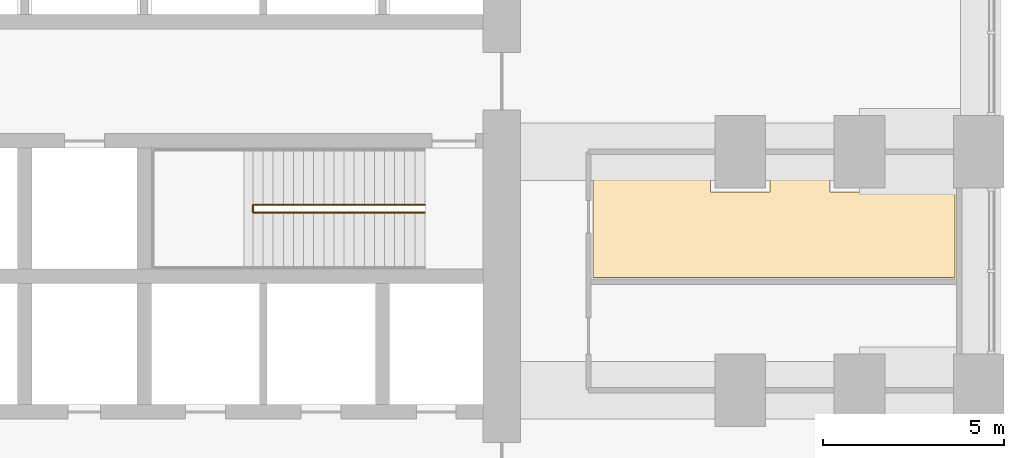
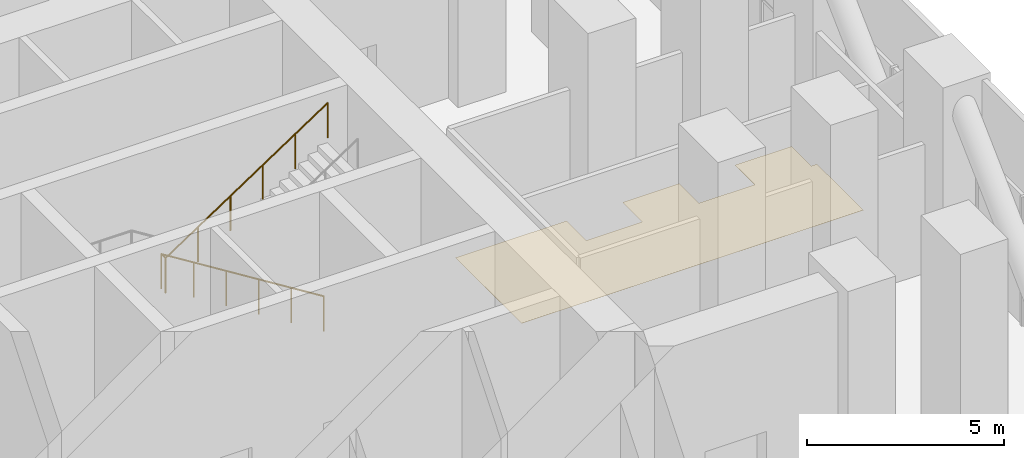
# One storey, part 17 of 17: 1 covering, 1 railing.
"""IFC4 building model written with IfcOpenShell, lengths in metres."""

import ifcopenshell
import ifcopenshell.guid

model = None  # the IFC model being written
_history = None  # IfcOwnerHistory: only IFC2X3 demands one
_inside = {}  # id of a spatial element -> (the spatial element, [elements in it])
_under = {}  # id of a project, library or spatial element -> (it, [spatial elements below it])
_declared = {}  # id of a project -> (the project, [libraries it declares])
_typed = {}  # id of a type object -> (the type object, [elements of that type])
_made_of = {}  # id of a material, layer set ... -> (it, [elements and type objects made of it])


def new_model(schema):
    """Start an empty IFC model of exactly this schema.

    Asked for "IFC4X3", IfcOpenShell would pick the latest addendum, in which some entities
    have other attributes; the version numbers below select the first issue.
    IFC2X3 requires an IfcOwnerHistory on every rooted entity: one is made here for all.
    """
    global model, _history
    if schema == "IFC4X3":
        model = ifcopenshell.file(schema_version=(4, 3, 0, 0))
    else:
        model = ifcopenshell.file(schema=schema)
    _inside.clear()
    _under.clear()
    _declared.clear()
    _typed.clear()
    _made_of.clear()
    _history = None
    if model.schema == "IFC2X3":
        org = make("IfcOrganization", Name="unknown")
        user = make(
            "IfcPersonAndOrganization",
            ThePerson=make("IfcPerson", FamilyName="unknown"),
            TheOrganization=org,
        )
        app = make(
            "IfcApplication",
            ApplicationDeveloper=org,
            Version="unknown",
            ApplicationFullName="unknown",
            ApplicationIdentifier="unknown",
        )
        _history = make(
            "IfcOwnerHistory",
            OwningUser=user,
            OwningApplication=app,
            ChangeAction="ADDED",
            CreationDate=0,
        )
    return model


def make(cls, **values):
    """One entity of the class cls with the attributes given. An attribute that is None is left unset."""
    return model.create_entity(
        cls, **{name: value for name, value in values.items() if value is not None}
    )


def rooted(cls, **values):
    """An entity with a GlobalId (a new one), such as an element, a storey or a relation."""
    return make(cls, GlobalId=ifcopenshell.guid.new(), OwnerHistory=_history, **values)


def si_unit(unit_type, name, prefix=None):
    """IfcSIUnit, for example si_unit("LENGTHUNIT", "METRE", prefix="MILLI")."""
    return make("IfcSIUnit", UnitType=unit_type, Prefix=prefix, Name=name)


def assignment(units):
    """IfcUnitAssignment: the units of a project."""
    return None if units is None else make("IfcUnitAssignment", Units=units)


def point(xyz):
    """IfcCartesianPoint."""
    return None if xyz is None else make("IfcCartesianPoint", Coordinates=xyz)


def direction(xyz):
    """IfcDirection."""
    return None if xyz is None else make("IfcDirection", DirectionRatios=xyz)


def frame(location, z_axis=None, x_axis=None):
    """IfcAxis2Placement3D, a coordinate frame: its origin and axes. An axis left out is left unset."""
    return make(
        "IfcAxis2Placement3D",
        Location=point(location),
        Axis=direction(z_axis),
        RefDirection=direction(x_axis),
    )


def origin():
    """The frame at (0, 0, 0) with its axes left unset."""
    return frame((0.0, 0.0, 0.0))


def place(relative_to, where):
    """IfcLocalPlacement: puts the frame where relative to a parent placement (None: the world)."""
    return make(
        "IfcLocalPlacement", PlacementRelTo=relative_to, RelativePlacement=where
    )


def context(
    kind, dimensions, precision=None, world=None, true_north=None, identifier=None
):
    """IfcGeometricRepresentationContext, for example the 3D "Model" context."""
    return make(
        "IfcGeometricRepresentationContext",
        ContextIdentifier=identifier,
        ContextType=kind,
        CoordinateSpaceDimension=dimensions,
        Precision=precision,
        WorldCoordinateSystem=world,
        TrueNorth=true_north,
    )


def subcontext(parent, identifier, kind, view, scale=None):
    """IfcGeometricRepresentationSubContext, for example "Body" below "Model"."""
    return make(
        "IfcGeometricRepresentationSubContext",
        ContextIdentifier=identifier,
        ContextType=kind,
        ParentContext=parent,
        TargetScale=scale,
        TargetView=view,
    )


def project(units=None, contexts=None):
    """IfcProject with its units and contexts."""
    return rooted(
        "IfcProject",
        Name="project",
        RepresentationContexts=contexts,
        UnitsInContext=assignment(units),
    )


def spatial(cls, under=None, at=None, **own):
    """A site, building, storey or space (cls), placed at a placement, below another one or the project."""
    s = rooted(cls, ObjectPlacement=at, **own)
    if under is not None:
        _under.setdefault(under.id(), (under, []))[1].append(s)
    return s


def polyline(points):
    """IfcPolyline through the points."""
    return make("IfcPolyline", Points=[point(p) for p in points])


def outline(outer, holes=None, kind="AREA"):
    """IfcArbitraryClosedProfileDef: a profile drawn as a closed curve; with holes, ...WithVoids."""
    if holes is None:
        return make("IfcArbitraryClosedProfileDef", ProfileType=kind, OuterCurve=outer)
    return make(
        "IfcArbitraryProfileDefWithVoids",
        ProfileType=kind,
        OuterCurve=outer,
        InnerCurves=holes,
    )


def extrude(swept, where, along, depth):
    """IfcExtrudedAreaSolid: the profile swept, set in the frame where, extruded along a direction by depth."""
    return make(
        "IfcExtrudedAreaSolid",
        SweptArea=swept,
        Position=where,
        ExtrudedDirection=direction(along),
        Depth=depth,
    )


def shape(context_of_items, identifier, shape_type, items):
    """IfcShapeRepresentation: the items that make up one representation, for example the "Body"."""
    return make(
        "IfcShapeRepresentation",
        ContextOfItems=context_of_items,
        RepresentationIdentifier=identifier,
        RepresentationType=shape_type,
        Items=items,
    )


def material(Name=None, Category=None):
    """IfcMaterial."""
    return make("IfcMaterial", Name=Name, Category=Category)


def layer(
    of_material, thickness, ventilated=None, Name=None, Category=None, Priority=None
):
    """IfcMaterialLayer: one layer of a wall or slab, of a material (None: an air gap)."""
    return make(
        "IfcMaterialLayer",
        Material=of_material,
        LayerThickness=thickness,
        IsVentilated=ventilated,
        Name=Name,
        Category=Category,
        Priority=Priority,
    )


def layer_set(layers, Name=None):
    """IfcMaterialLayerSet."""
    return make("IfcMaterialLayerSet", MaterialLayers=layers, LayerSetName=Name)


def made_of(thing, what):
    """Note that an element or type object is made of a material, layer set ...; save() writes the relation."""
    if what is not None:
        _made_of.setdefault(what.id(), (what, []))[1].append(thing)
    return thing


def type_object(cls, material=None, **own):
    """A type object (cls), such as IfcWallType, which elements share."""
    return made_of(rooted(cls, **own), material)


def element(
    cls,
    number,
    at=None,
    inside=None,
    cuts=None,
    type_object=None,
    material=None,
    context=None,
    identifier="Body",
    shape_type=None,
    held_by="IfcProductDefinitionShape",
    body=None,
    shapes=None,
    **own,
):
    """One element of the class cls, such as IfcWall. Its Tag is "e" and its number.

    at: its placement. inside: the storey or other place that contains it. cuts: it is an
    opening in that element (IfcRelVoidsElement). A single representation is given by context,
    identifier, shape_type and body (its items); several are given by shapes. held_by: the class
    of the entity that holds the representations. save() writes the other relations.
    """
    e = rooted(cls, Tag="e%d" % number, ObjectPlacement=at, **own)
    if body is not None:
        shapes = [shape(context, identifier, shape_type, body)]
    if shapes is not None:
        e.Representation = make(held_by, Representations=shapes)
    if inside is not None:
        _inside.setdefault(inside.id(), (inside, []))[1].append(e)
    if cuts is not None:
        rooted(
            "IfcRelVoidsElement", RelatingBuildingElement=cuts, RelatedOpeningElement=e
        )
    if type_object is not None:
        _typed.setdefault(type_object.id(), (type_object, []))[1].append(e)
    return made_of(e, material)


def aggregate(whole, parts):
    """IfcRelAggregates: a whole, such as a stair, and the parts it consists of."""
    return rooted("IfcRelAggregates", RelatingObject=whole, RelatedObjects=parts)


def save(model, path):
    """Write the relations noted so far, then the file.

    IfcRelAggregates (storeys below a building ...), IfcRelContainedInSpatialStructure (elements
    in a storey), IfcRelDefinesByType, IfcRelAssociatesMaterial and IfcRelDeclares: one each for
    every whole, place, type object, material and project.
    """
    for whole, parts in _under.values():
        aggregate(whole, parts)
    for where, things in _inside.values():
        rooted(
            "IfcRelContainedInSpatialStructure",
            RelatedElements=things,
            RelatingStructure=where,
        )
    for kind, things in _typed.values():
        rooted("IfcRelDefinesByType", RelatedObjects=things, RelatingType=kind)
    for what, things in _made_of.values():
        rooted("IfcRelAssociatesMaterial", RelatedObjects=things, RelatingMaterial=what)
    for by, libraries in _declared.values():
        rooted("IfcRelDeclares", RelatingContext=by, RelatedDefinitions=libraries)
    model.write(path)


model = new_model("IFC4")

# Units and contexts
model_context = context("Model", 3, precision=1e-05, world=origin(), true_north=direction((0.0, 1.0)))
body_context = subcontext(model_context, "Body", "Model", "MODEL_VIEW")
ifc_project = project(units=[si_unit("LENGTHUNIT", "METRE"), si_unit("AREAUNIT", "SQUARE_METRE"), si_unit("VOLUMEUNIT", "CUBIC_METRE"), si_unit("PLANEANGLEUNIT", "RADIAN"), si_unit("MASSUNIT", "GRAM", prefix="KILO")], contexts=[model_context])

# Site, building, storey
site_placement = place(None, origin())
site = spatial("IfcSite", under=ifc_project, at=site_placement, CompositionType="ELEMENT")
building_placement = place(site_placement, origin())
building = spatial("IfcBuilding", under=site, at=building_placement, Name="Cobogo Forest Laboratory Tower", CompositionType="ELEMENT")
storey_placement = place(building_placement, frame((0.0, 0.0, 75.89990234375)))
storey = spatial("IfcBuildingStorey", under=building, at=storey_placement, Name="L17", CompositionType="ELEMENT", Elevation=75.89990234375)

# Railing
ifc_material_1 = material(Name="Steel balustrade", Category="steel")
railing_type = type_object("IfcRailingType", Name="GR stair guard 1100", PredefinedType="GUARDRAIL", material=ifc_material_1)
railing_placement = place(storey_placement, frame((37.47509765625, 24.929931640625, 0.175048828125)))
element("IfcRailing", 1, at=railing_placement, inside=storey, type_object=railing_type, Name="Stair guard ST2 L17", PredefinedType="GUARDRAIL", context=body_context, shape_type="SweptSolid", body=[
    extrude(outline(polyline([(0.022216796875, 0.00927734375), (0.00927734375, 0.022216796875), (-0.00927734375, 0.022216796875), (-0.022216796875, 0.00927734375), (-0.022216796875, -0.00927734375), (-0.00927734375, -0.022216796875), (0.00927734375, -0.022216796875), (0.022216796875, -0.00927734375), (0.022216796875, 0.00927734375)])), frame((0.0, 0.0, 1.077880859375), z_axis=(-0.847990973574, 0.0, 0.530010668512), x_axis=(0.0, -1.0, 0.0)), (0.0, 0.0, 1.0), 5.61328125),
    extrude(outline(polyline([(0.022216796875, 0.00927734375), (0.00927734375, 0.022216796875), (-0.00927734375, 0.022216796875), (-0.022216796875, 0.00927734375), (-0.022216796875, -0.00927734375), (-0.00927734375, -0.022216796875), (0.00927734375, -0.022216796875), (0.022216796875, -0.00927734375), (0.022216796875, 0.00927734375)])), frame((-4.760009765625, 0.0, 4.052978515625), z_axis=(0.0, -1.0, 0.0), x_axis=(1.0, 0.0, 0.0)), (0.0, 0.0, 1.0), 0.2099609375),
    extrude(outline(polyline([(0.022216796875, 0.00927734375), (0.00927734375, 0.022216796875), (-0.00927734375, 0.022216796875), (-0.022216796875, 0.00927734375), (-0.022216796875, -0.00927734375), (-0.00927734375, -0.022216796875), (0.00927734375, -0.022216796875), (0.022216796875, -0.00927734375), (0.022216796875, 0.00927734375)])), frame((-4.760009765625, -0.2099609375, 4.052978515625), z_axis=(0.833940600646, 0.0, 0.551854214983), x_axis=(0.0, 1.0, 0.0)), (0.0, 0.0, 1.0), 5.707763671875),
    extrude(outline(polyline([(0.019287109375, 0.008056640625), (0.008056640625, 0.019287109375), (-0.008056640625, 0.019287109375), (-0.019287109375, 0.008056640625), (-0.019287109375, -0.008056640625), (-0.008056640625, -0.019287109375), (0.008056640625, -0.019287109375), (0.019287109375, -0.008056640625), (0.019287109375, 0.008056640625)])), origin(), (0.0, 0.0, 1.0), 1.077880859375),
    extrude(outline(polyline([(0.019287109375, 0.008056640625), (0.008056640625, 0.019287109375), (-0.008056640625, 0.019287109375), (-0.019287109375, 0.008056640625), (-0.019287109375, -0.008056640625), (-0.008056640625, -0.019287109375), (0.008056640625, -0.019287109375), (0.019287109375, -0.008056640625), (0.019287109375, 0.008056640625)])), frame((-0.951904296875, 0.0, 0.594970703125)), (0.0, 0.0, 1.0), 1.077880859375),
    extrude(outline(polyline([(0.019287109375, 0.008056640625), (0.008056640625, 0.019287109375), (-0.008056640625, 0.019287109375), (-0.019287109375, 0.008056640625), (-0.019287109375, -0.008056640625), (-0.008056640625, -0.019287109375), (0.008056640625, -0.019287109375), (0.019287109375, -0.008056640625), (0.019287109375, 0.008056640625)])), frame((-1.904052734375, 0.0, 1.18994140625)), (0.0, 0.0, 1.0), 1.077880859375),
    extrude(outline(polyline([(0.019287109375, 0.008056640625), (0.008056640625, 0.019287109375), (-0.008056640625, 0.019287109375), (-0.019287109375, 0.008056640625), (-0.019287109375, -0.008056640625), (-0.008056640625, -0.019287109375), (0.008056640625, -0.019287109375), (0.019287109375, -0.008056640625), (0.019287109375, 0.008056640625)])), frame((-2.85595703125, 0.0, 1.78515625)), (0.0, 0.0, 1.0), 1.077880859375),
    extrude(outline(polyline([(0.019287109375, 0.008056640625), (0.008056640625, 0.019287109375), (-0.008056640625, 0.019287109375), (-0.019287109375, 0.008056640625), (-0.019287109375, -0.008056640625), (-0.008056640625, -0.019287109375), (0.008056640625, -0.019287109375), (0.019287109375, -0.008056640625), (0.019287109375, 0.008056640625)])), frame((-3.80810546875, 0.0, 2.380126953125)), (0.0, 0.0, 1.0), 1.077880859375),
    extrude(outline(polyline([(0.019287109375, 0.008056640625), (0.008056640625, 0.019287109375), (-0.008056640625, 0.019287109375), (-0.019287109375, 0.008056640625), (-0.019287109375, -0.008056640625), (-0.008056640625, -0.019287109375), (0.008056640625, -0.019287109375), (0.019287109375, -0.008056640625), (0.019287109375, 0.008056640625)])), frame((-4.760009765625, 0.0, 2.97509765625)), (0.0, 0.0, 1.0), 1.077880859375),
    extrude(outline(polyline([(0.019287109375, 0.008056640625), (0.008056640625, 0.019287109375), (-0.008056640625, 0.019287109375), (-0.019287109375, 0.008056640625), (-0.019287109375, -0.008056640625), (-0.008056640625, -0.019287109375), (0.008056640625, -0.019287109375), (0.019287109375, -0.008056640625), (0.019287109375, 0.008056640625)])), frame((-4.760009765625, -0.2099609375, 2.97509765625)), (0.0, 0.0, 1.0), 1.077880859375),
    extrude(outline(polyline([(0.019287109375, 0.008056640625), (0.008056640625, 0.019287109375), (-0.008056640625, 0.019287109375), (-0.019287109375, 0.008056640625), (-0.019287109375, -0.008056640625), (-0.008056640625, -0.019287109375), (0.008056640625, -0.019287109375), (0.019287109375, -0.008056640625), (0.019287109375, 0.008056640625)])), frame((-3.80810546875, -0.2099609375, 3.60498046875)), (0.0, 0.0, 1.0), 1.077880859375),
    extrude(outline(polyline([(0.019287109375, 0.008056640625), (0.008056640625, 0.019287109375), (-0.008056640625, 0.019287109375), (-0.019287109375, 0.008056640625), (-0.019287109375, -0.008056640625), (-0.008056640625, -0.019287109375), (0.008056640625, -0.019287109375), (0.019287109375, -0.008056640625), (0.019287109375, 0.008056640625)])), frame((-2.85595703125, -0.2099609375, 4.235107421875)), (0.0, 0.0, 1.0), 1.077880859375),
    extrude(outline(polyline([(0.019287109375, 0.008056640625), (0.008056640625, 0.019287109375), (-0.008056640625, 0.019287109375), (-0.019287109375, 0.008056640625), (-0.019287109375, -0.008056640625), (-0.008056640625, -0.019287109375), (0.008056640625, -0.019287109375), (0.019287109375, -0.008056640625), (0.019287109375, 0.008056640625)])), frame((-1.904052734375, -0.2099609375, 4.864990234375)), (0.0, 0.0, 1.0), 1.077880859375),
    extrude(outline(polyline([(0.019287109375, 0.008056640625), (0.008056640625, 0.019287109375), (-0.008056640625, 0.019287109375), (-0.019287109375, 0.008056640625), (-0.019287109375, -0.008056640625), (-0.008056640625, -0.019287109375), (0.008056640625, -0.019287109375), (0.019287109375, -0.008056640625), (0.019287109375, 0.008056640625)])), frame((-0.951904296875, -0.2099609375, 5.4951171875)), (0.0, 0.0, 1.0), 1.077880859375),
    extrude(outline(polyline([(0.019287109375, 0.008056640625), (0.008056640625, 0.019287109375), (-0.008056640625, 0.019287109375), (-0.019287109375, 0.008056640625), (-0.019287109375, -0.008056640625), (-0.008056640625, -0.019287109375), (0.008056640625, -0.019287109375), (0.019287109375, -0.008056640625), (0.019287109375, 0.008056640625)])), frame((0.0, -0.2099609375, 6.125)), (0.0, 0.0, 1.0), 1.077880859375),
])

# Covering
ifc_material_2 = material(Name="Static-dissipative vinyl flooring", Category="flooring")
ifc_layer = layer(ifc_material_2, 0.0029296875)
ifc_layer_set = layer_set([ifc_layer], Name="SD1 static-dissipative vinyl floor 3")
covering_type = type_object("IfcCoveringType", Name="SD1 static-dissipative vinyl floor 3", PredefinedType="FLOORING", material=ifc_layer_set)
covering_placement = place(storey_placement, origin())
element("IfcCovering", 2, at=covering_placement, inside=storey, type_object=covering_type, Name="Static-dissipative floor L17-10", PredefinedType="FLOORING", context=body_context, shape_type="SweptSolid", body=[
    extrude(outline(polyline([(42.1201171875, 26.280029296875), (45.3798828125, 26.280029296875), (45.3798828125, 25.280029296875), (47.02001953125, 25.280029296875), (47.02001953125, 26.280029296875), (48.679931640625, 26.280029296875), (48.679931640625, 25.280029296875), (50.320068359375, 25.280029296875), (50.320068359375, 26.280029296875), (51.97998046875, 26.280029296875), (51.97998046875, 25.280029296875), (52.14501953125, 25.280029296875), (52.14501953125, 22.919921875), (42.1201171875, 22.919921875), (42.1201171875, 26.280029296875)])), origin(), (0.0, 0.0, 1.0), 0.003173828125),
])

save(model, "model.ifc")
